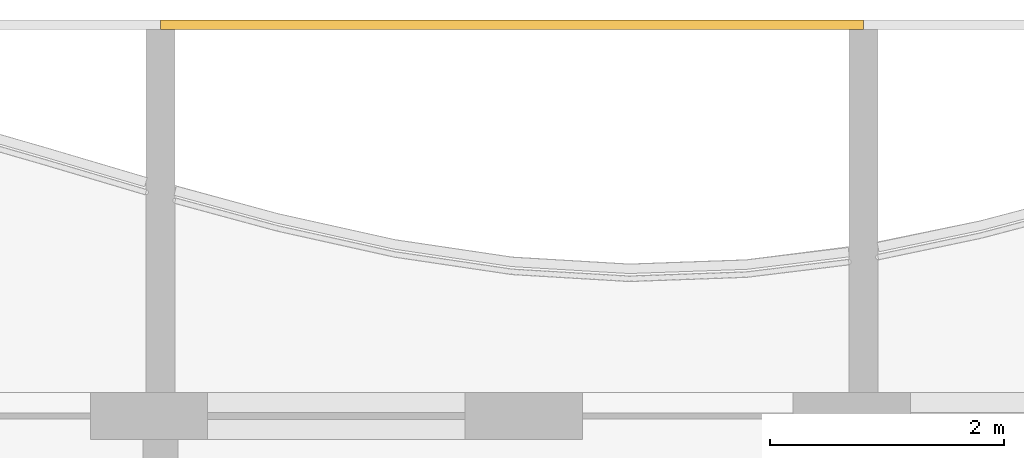
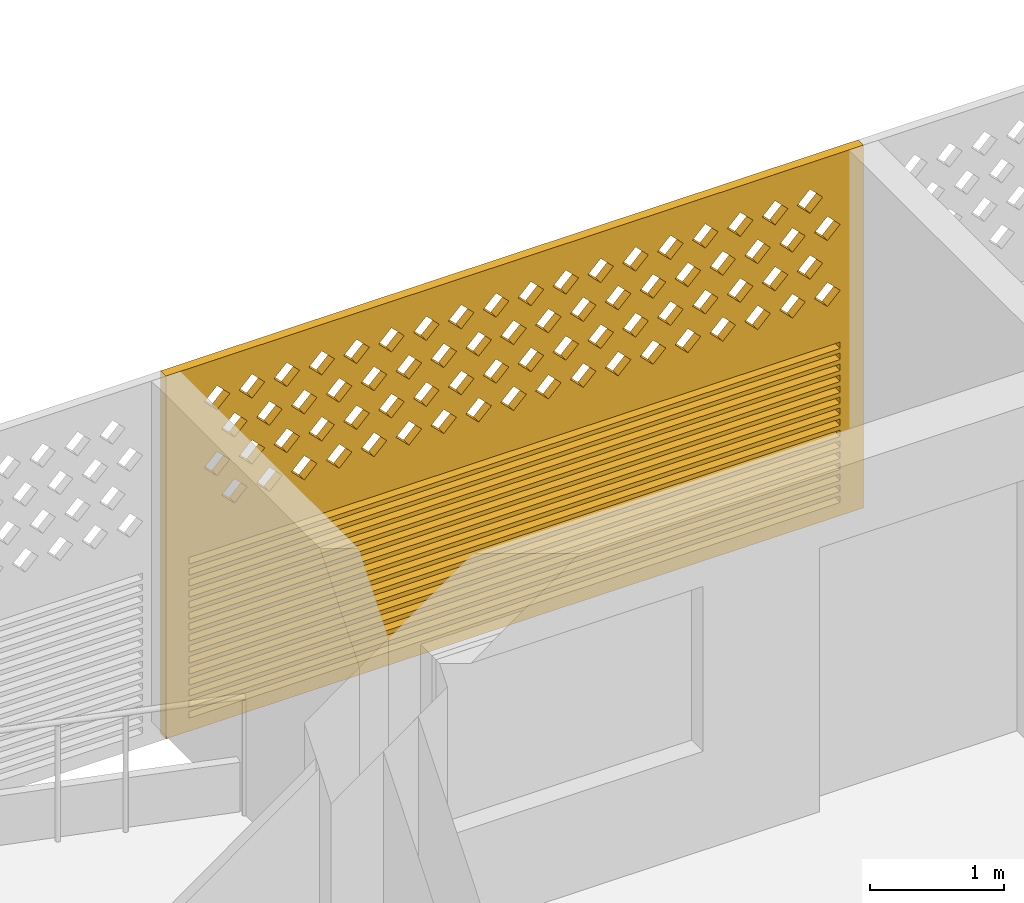
# One storey, part 22 of 32: 1 covering.
"""IFC4 building model written with IfcOpenShell, lengths in metres."""

from ifc_helpers import new_model, si_unit, direction, frame, origin, place, context, subcontext, project, spatial, polyline, outline, extrude, source, transform, mapped, material, material_profile, profile_set, type_object, element, save


model = new_model("IFC4")

# Units and contexts
model_context = context("Model", 3, precision=1e-05, world=origin(), true_north=direction((0.0, 1.0)))
body_context = subcontext(model_context, "Body", "Model", "MODEL_VIEW")
ifc_project = project(units=[si_unit("LENGTHUNIT", "METRE"), si_unit("AREAUNIT", "SQUARE_METRE"), si_unit("VOLUMEUNIT", "CUBIC_METRE"), si_unit("PLANEANGLEUNIT", "RADIAN"), si_unit("MASSUNIT", "GRAM", prefix="KILO")], contexts=[model_context])

# Site, building, storey
site_placement = place(None, origin())
site = spatial("IfcSite", under=ifc_project, at=site_placement, CompositionType="ELEMENT")
building_placement = place(site_placement, origin())
building = spatial("IfcBuilding", under=site, at=building_placement, Name="Poui Terraces", CompositionType="ELEMENT")
storey_placement = place(building_placement, frame((0.0, 0.0, 122.39990234375)))
storey = spatial("IfcBuildingStorey", under=building, at=storey_placement, Name="L33", CompositionType="ELEMENT", Elevation=122.39990234375)

# Covering
ifc_material = material(Name="Terracotta screen", Category="masonry")
ifc_material_profile = material_profile(ifc_material, outline(polyline([(-3.0, -1.64990234375), (3.0, -1.64990234375), (3.0, 1.64990234375), (-3.0, 1.64990234375), (-3.0, -1.64990234375)]), holes=[polyline([(-2.800048828125, 0.39990234375), (-2.68994140625, 0.2900390625), (-2.580078125, 0.39990234375), (-2.68994140625, 0.510009765625), (-2.800048828125, 0.39990234375)]), polyline([(-2.5, 0.39990234375), (-2.389892578125, 0.2900390625), (-2.280029296875, 0.39990234375), (-2.389892578125, 0.510009765625), (-2.5, 0.39990234375)]), polyline([(-2.199951171875, 0.39990234375), (-2.090087890625, 0.2900390625), (-1.97998046875, 0.39990234375), (-2.090087890625, 0.510009765625), (-2.199951171875, 0.39990234375)]), polyline([(-1.89990234375, 0.39990234375), (-1.7900390625, 0.2900390625), (-1.679931640625, 0.39990234375), (-1.7900390625, 0.510009765625), (-1.89990234375, 0.39990234375)]), polyline([(-1.60009765625, 0.39990234375), (-1.489990234375, 0.2900390625), (-1.3798828125, 0.39990234375), (-1.489990234375, 0.510009765625), (-1.60009765625, 0.39990234375)]), polyline([(-1.300048828125, 0.39990234375), (-1.18994140625, 0.2900390625), (-1.080078125, 0.39990234375), (-1.18994140625, 0.510009765625), (-1.300048828125, 0.39990234375)]), polyline([(-1.0, 0.39990234375), (-0.889892578125, 0.2900390625), (-0.780029296875, 0.39990234375), (-0.889892578125, 0.510009765625), (-1.0, 0.39990234375)]), polyline([(-0.699951171875, 0.39990234375), (-0.590087890625, 0.2900390625), (-0.47998046875, 0.39990234375), (-0.590087890625, 0.510009765625), (-0.699951171875, 0.39990234375)]), polyline([(-0.39990234375, 0.39990234375), (-0.2900390625, 0.2900390625), (-0.179931640625, 0.39990234375), (-0.2900390625, 0.510009765625), (-0.39990234375, 0.39990234375)]), polyline([(-0.10009765625, 0.39990234375), (0.010009765625, 0.2900390625), (0.1201171875, 0.39990234375), (0.010009765625, 0.510009765625), (-0.10009765625, 0.39990234375)]), polyline([(0.199951171875, 0.39990234375), (0.31005859375, 0.2900390625), (0.419921875, 0.39990234375), (0.31005859375, 0.510009765625), (0.199951171875, 0.39990234375)]), polyline([(0.5, 0.39990234375), (0.610107421875, 0.2900390625), (0.719970703125, 0.39990234375), (0.610107421875, 0.510009765625), (0.5, 0.39990234375)]), polyline([(0.800048828125, 0.39990234375), (0.909912109375, 0.2900390625), (1.02001953125, 0.39990234375), (0.909912109375, 0.510009765625), (0.800048828125, 0.39990234375)]), polyline([(1.10009765625, 0.39990234375), (1.2099609375, 0.2900390625), (1.320068359375, 0.39990234375), (1.2099609375, 0.510009765625), (1.10009765625, 0.39990234375)]), polyline([(1.39990234375, 0.39990234375), (1.510009765625, 0.2900390625), (1.6201171875, 0.39990234375), (1.510009765625, 0.510009765625), (1.39990234375, 0.39990234375)]), polyline([(1.699951171875, 0.39990234375), (1.81005859375, 0.2900390625), (1.919921875, 0.39990234375), (1.81005859375, 0.510009765625), (1.699951171875, 0.39990234375)]), polyline([(2.0, 0.39990234375), (2.110107421875, 0.2900390625), (2.219970703125, 0.39990234375), (2.110107421875, 0.510009765625), (2.0, 0.39990234375)]), polyline([(2.300048828125, 0.39990234375), (2.409912109375, 0.2900390625), (2.52001953125, 0.39990234375), (2.409912109375, 0.510009765625), (2.300048828125, 0.39990234375)]), polyline([(-2.64990234375, 0.699951171875), (-2.5400390625, 0.590087890625), (-2.429931640625, 0.699951171875), (-2.5400390625, 0.81005859375), (-2.64990234375, 0.699951171875)]), polyline([(-2.35009765625, 0.699951171875), (-2.239990234375, 0.590087890625), (-2.1298828125, 0.699951171875), (-2.239990234375, 0.81005859375), (-2.35009765625, 0.699951171875)]), polyline([(-2.050048828125, 0.699951171875), (-1.93994140625, 0.590087890625), (-1.830078125, 0.699951171875), (-1.93994140625, 0.81005859375), (-2.050048828125, 0.699951171875)]), polyline([(-1.75, 0.699951171875), (-1.639892578125, 0.590087890625), (-1.530029296875, 0.699951171875), (-1.639892578125, 0.81005859375), (-1.75, 0.699951171875)]), polyline([(-1.449951171875, 0.699951171875), (-1.340087890625, 0.590087890625), (-1.22998046875, 0.699951171875), (-1.340087890625, 0.81005859375), (-1.449951171875, 0.699951171875)]), polyline([(-1.14990234375, 0.699951171875), (-1.0400390625, 0.590087890625), (-0.929931640625, 0.699951171875), (-1.0400390625, 0.81005859375), (-1.14990234375, 0.699951171875)]), polyline([(-0.85009765625, 0.699951171875), (-0.739990234375, 0.590087890625), (-0.6298828125, 0.699951171875), (-0.739990234375, 0.81005859375), (-0.85009765625, 0.699951171875)]), polyline([(-0.550048828125, 0.699951171875), (-0.43994140625, 0.590087890625), (-0.330078125, 0.699951171875), (-0.43994140625, 0.81005859375), (-0.550048828125, 0.699951171875)]), polyline([(-0.25, 0.699951171875), (-0.139892578125, 0.590087890625), (-0.030029296875, 0.699951171875), (-0.139892578125, 0.81005859375), (-0.25, 0.699951171875)]), polyline([(0.050048828125, 0.699951171875), (0.159912109375, 0.590087890625), (0.27001953125, 0.699951171875), (0.159912109375, 0.81005859375), (0.050048828125, 0.699951171875)]), polyline([(0.35009765625, 0.699951171875), (0.4599609375, 0.590087890625), (0.570068359375, 0.699951171875), (0.4599609375, 0.81005859375), (0.35009765625, 0.699951171875)]), polyline([(0.64990234375, 0.699951171875), (0.760009765625, 0.590087890625), (0.8701171875, 0.699951171875), (0.760009765625, 0.81005859375), (0.64990234375, 0.699951171875)]), polyline([(0.949951171875, 0.699951171875), (1.06005859375, 0.590087890625), (1.169921875, 0.699951171875), (1.06005859375, 0.81005859375), (0.949951171875, 0.699951171875)]), polyline([(1.25, 0.699951171875), (1.360107421875, 0.590087890625), (1.469970703125, 0.699951171875), (1.360107421875, 0.81005859375), (1.25, 0.699951171875)]), polyline([(1.550048828125, 0.699951171875), (1.659912109375, 0.590087890625), (1.77001953125, 0.699951171875), (1.659912109375, 0.81005859375), (1.550048828125, 0.699951171875)]), polyline([(1.85009765625, 0.699951171875), (1.9599609375, 0.590087890625), (2.070068359375, 0.699951171875), (1.9599609375, 0.81005859375), (1.85009765625, 0.699951171875)]), polyline([(2.14990234375, 0.699951171875), (2.260009765625, 0.590087890625), (2.3701171875, 0.699951171875), (2.260009765625, 0.81005859375), (2.14990234375, 0.699951171875)]), polyline([(2.449951171875, 0.699951171875), (2.56005859375, 0.590087890625), (2.669921875, 0.699951171875), (2.56005859375, 0.81005859375), (2.449951171875, 0.699951171875)]), polyline([(-2.800048828125, 1.0), (-2.68994140625, 0.889892578125), (-2.580078125, 1.0), (-2.68994140625, 1.110107421875), (-2.800048828125, 1.0)]), polyline([(-2.5, 1.0), (-2.389892578125, 0.889892578125), (-2.280029296875, 1.0), (-2.389892578125, 1.110107421875), (-2.5, 1.0)]), polyline([(-2.199951171875, 1.0), (-2.090087890625, 0.889892578125), (-1.97998046875, 1.0), (-2.090087890625, 1.110107421875), (-2.199951171875, 1.0)]), polyline([(-1.89990234375, 1.0), (-1.7900390625, 0.889892578125), (-1.679931640625, 1.0), (-1.7900390625, 1.110107421875), (-1.89990234375, 1.0)]), polyline([(-1.60009765625, 1.0), (-1.489990234375, 0.889892578125), (-1.3798828125, 1.0), (-1.489990234375, 1.110107421875), (-1.60009765625, 1.0)]), polyline([(-1.300048828125, 1.0), (-1.18994140625, 0.889892578125), (-1.080078125, 1.0), (-1.18994140625, 1.110107421875), (-1.300048828125, 1.0)]), polyline([(-1.0, 1.0), (-0.889892578125, 0.889892578125), (-0.780029296875, 1.0), (-0.889892578125, 1.110107421875), (-1.0, 1.0)]), polyline([(-0.699951171875, 1.0), (-0.590087890625, 0.889892578125), (-0.47998046875, 1.0), (-0.590087890625, 1.110107421875), (-0.699951171875, 1.0)]), polyline([(-0.39990234375, 1.0), (-0.2900390625, 0.889892578125), (-0.179931640625, 1.0), (-0.2900390625, 1.110107421875), (-0.39990234375, 1.0)]), polyline([(-0.10009765625, 1.0), (0.010009765625, 0.889892578125), (0.1201171875, 1.0), (0.010009765625, 1.110107421875), (-0.10009765625, 1.0)]), polyline([(0.199951171875, 1.0), (0.31005859375, 0.889892578125), (0.419921875, 1.0), (0.31005859375, 1.110107421875), (0.199951171875, 1.0)]), polyline([(0.5, 1.0), (0.610107421875, 0.889892578125), (0.719970703125, 1.0), (0.610107421875, 1.110107421875), (0.5, 1.0)]), polyline([(0.800048828125, 1.0), (0.909912109375, 0.889892578125), (1.02001953125, 1.0), (0.909912109375, 1.110107421875), (0.800048828125, 1.0)]), polyline([(1.10009765625, 1.0), (1.2099609375, 0.889892578125), (1.320068359375, 1.0), (1.2099609375, 1.110107421875), (1.10009765625, 1.0)]), polyline([(1.39990234375, 1.0), (1.510009765625, 0.889892578125), (1.6201171875, 1.0), (1.510009765625, 1.110107421875), (1.39990234375, 1.0)]), polyline([(1.699951171875, 1.0), (1.81005859375, 0.889892578125), (1.919921875, 1.0), (1.81005859375, 1.110107421875), (1.699951171875, 1.0)]), polyline([(2.0, 1.0), (2.110107421875, 0.889892578125), (2.219970703125, 1.0), (2.110107421875, 1.110107421875), (2.0, 1.0)]), polyline([(2.300048828125, 1.0), (2.409912109375, 0.889892578125), (2.52001953125, 1.0), (2.409912109375, 1.110107421875), (2.300048828125, 1.0)]), polyline([(-2.64990234375, 1.300048828125), (-2.5400390625, 1.18994140625), (-2.429931640625, 1.300048828125), (-2.5400390625, 1.409912109375), (-2.64990234375, 1.300048828125)]), polyline([(-2.35009765625, 1.300048828125), (-2.239990234375, 1.18994140625), (-2.1298828125, 1.300048828125), (-2.239990234375, 1.409912109375), (-2.35009765625, 1.300048828125)]), polyline([(-2.050048828125, 1.300048828125), (-1.93994140625, 1.18994140625), (-1.830078125, 1.300048828125), (-1.93994140625, 1.409912109375), (-2.050048828125, 1.300048828125)]), polyline([(-1.75, 1.300048828125), (-1.639892578125, 1.18994140625), (-1.530029296875, 1.300048828125), (-1.639892578125, 1.409912109375), (-1.75, 1.300048828125)]), polyline([(-1.449951171875, 1.300048828125), (-1.340087890625, 1.18994140625), (-1.22998046875, 1.300048828125), (-1.340087890625, 1.409912109375), (-1.449951171875, 1.300048828125)]), polyline([(-1.14990234375, 1.300048828125), (-1.0400390625, 1.18994140625), (-0.929931640625, 1.300048828125), (-1.0400390625, 1.409912109375), (-1.14990234375, 1.300048828125)]), polyline([(-0.85009765625, 1.300048828125), (-0.739990234375, 1.18994140625), (-0.6298828125, 1.300048828125), (-0.739990234375, 1.409912109375), (-0.85009765625, 1.300048828125)]), polyline([(-0.550048828125, 1.300048828125), (-0.43994140625, 1.18994140625), (-0.330078125, 1.300048828125), (-0.43994140625, 1.409912109375), (-0.550048828125, 1.300048828125)]), polyline([(-0.25, 1.300048828125), (-0.139892578125, 1.18994140625), (-0.030029296875, 1.300048828125), (-0.139892578125, 1.409912109375), (-0.25, 1.300048828125)]), polyline([(0.050048828125, 1.300048828125), (0.159912109375, 1.18994140625), (0.27001953125, 1.300048828125), (0.159912109375, 1.409912109375), (0.050048828125, 1.300048828125)]), polyline([(0.35009765625, 1.300048828125), (0.4599609375, 1.18994140625), (0.570068359375, 1.300048828125), (0.4599609375, 1.409912109375), (0.35009765625, 1.300048828125)]), polyline([(0.64990234375, 1.300048828125), (0.760009765625, 1.18994140625), (0.8701171875, 1.300048828125), (0.760009765625, 1.409912109375), (0.64990234375, 1.300048828125)]), polyline([(0.949951171875, 1.300048828125), (1.06005859375, 1.18994140625), (1.169921875, 1.300048828125), (1.06005859375, 1.409912109375), (0.949951171875, 1.300048828125)]), polyline([(1.25, 1.300048828125), (1.360107421875, 1.18994140625), (1.469970703125, 1.300048828125), (1.360107421875, 1.409912109375), (1.25, 1.300048828125)]), polyline([(1.550048828125, 1.300048828125), (1.659912109375, 1.18994140625), (1.77001953125, 1.300048828125), (1.659912109375, 1.409912109375), (1.550048828125, 1.300048828125)]), polyline([(1.85009765625, 1.300048828125), (1.9599609375, 1.18994140625), (2.070068359375, 1.300048828125), (1.9599609375, 1.409912109375), (1.85009765625, 1.300048828125)]), polyline([(2.14990234375, 1.300048828125), (2.260009765625, 1.18994140625), (2.3701171875, 1.300048828125), (2.260009765625, 1.409912109375), (2.14990234375, 1.300048828125)]), polyline([(2.449951171875, 1.300048828125), (2.56005859375, 1.18994140625), (2.669921875, 1.300048828125), (2.56005859375, 1.409912109375), (2.449951171875, 1.300048828125)]), polyline([(-2.800048828125, -1.530029296875), (2.800048828125, -1.530029296875), (2.800048828125, -1.469970703125), (-2.800048828125, -1.469970703125), (-2.800048828125, -1.530029296875)]), polyline([(-2.800048828125, -1.429931640625), (2.800048828125, -1.429931640625), (2.800048828125, -1.3701171875), (-2.800048828125, -1.3701171875), (-2.800048828125, -1.429931640625)]), polyline([(-2.800048828125, -1.330078125), (2.800048828125, -1.330078125), (2.800048828125, -1.27001953125), (-2.800048828125, -1.27001953125), (-2.800048828125, -1.330078125)]), polyline([(-2.800048828125, -1.22998046875), (2.800048828125, -1.22998046875), (2.800048828125, -1.169921875), (-2.800048828125, -1.169921875), (-2.800048828125, -1.22998046875)]), polyline([(-2.800048828125, -1.1298828125), (2.800048828125, -1.1298828125), (2.800048828125, -1.070068359375), (-2.800048828125, -1.070068359375), (-2.800048828125, -1.1298828125)]), polyline([(-2.800048828125, -1.030029296875), (2.800048828125, -1.030029296875), (2.800048828125, -0.969970703125), (-2.800048828125, -0.969970703125), (-2.800048828125, -1.030029296875)]), polyline([(-2.800048828125, -0.929931640625), (2.800048828125, -0.929931640625), (2.800048828125, -0.8701171875), (-2.800048828125, -0.8701171875), (-2.800048828125, -0.929931640625)]), polyline([(-2.800048828125, -0.830078125), (2.800048828125, -0.830078125), (2.800048828125, -0.77001953125), (-2.800048828125, -0.77001953125), (-2.800048828125, -0.830078125)]), polyline([(-2.800048828125, -0.72998046875), (2.800048828125, -0.72998046875), (2.800048828125, -0.669921875), (-2.800048828125, -0.669921875), (-2.800048828125, -0.72998046875)]), polyline([(-2.800048828125, -0.6298828125), (2.800048828125, -0.6298828125), (2.800048828125, -0.570068359375), (-2.800048828125, -0.570068359375), (-2.800048828125, -0.6298828125)]), polyline([(-2.800048828125, -0.530029296875), (2.800048828125, -0.530029296875), (2.800048828125, -0.469970703125), (-2.800048828125, -0.469970703125), (-2.800048828125, -0.530029296875)]), polyline([(-2.800048828125, -0.429931640625), (2.800048828125, -0.429931640625), (2.800048828125, -0.3701171875), (-2.800048828125, -0.3701171875), (-2.800048828125, -0.429931640625)]), polyline([(-2.800048828125, -0.330078125), (2.800048828125, -0.330078125), (2.800048828125, -0.27001953125), (-2.800048828125, -0.27001953125), (-2.800048828125, -0.330078125)]), polyline([(-2.800048828125, -0.22998046875), (2.800048828125, -0.22998046875), (2.800048828125, -0.169921875), (-2.800048828125, -0.169921875), (-2.800048828125, -0.22998046875)]), polyline([(-2.800048828125, -0.1298828125), (2.800048828125, -0.1298828125), (2.800048828125, -0.070068359375), (-2.800048828125, -0.070068359375), (-2.800048828125, -0.1298828125)])]), Name="TERRACOTTA SCREEN AND JALOUSIE LOUVRE 6000X3300")
ifc_profile_set = profile_set([ifc_material_profile], Name="Terracotta screen")
covering_type = type_object("IfcCoveringType", Name="TERRACOTTA SCREEN AND JALOUSIE LOUVRE 6000X3300", PredefinedType="CLADDING", material=ifc_profile_set)
shared_shape = source(origin(), body_context, "Body", "SweptSolid", [
    extrude(outline(polyline([(-3.0, -1.64990234375), (3.0, -1.64990234375), (3.0, 1.64990234375), (-3.0, 1.64990234375), (-3.0, -1.64990234375)]), holes=[polyline([(-2.800048828125, 0.39990234375), (-2.68994140625, 0.2900390625), (-2.580078125, 0.39990234375), (-2.68994140625, 0.510009765625), (-2.800048828125, 0.39990234375)]), polyline([(-2.5, 0.39990234375), (-2.389892578125, 0.2900390625), (-2.280029296875, 0.39990234375), (-2.389892578125, 0.510009765625), (-2.5, 0.39990234375)]), polyline([(-2.199951171875, 0.39990234375), (-2.090087890625, 0.2900390625), (-1.97998046875, 0.39990234375), (-2.090087890625, 0.510009765625), (-2.199951171875, 0.39990234375)]), polyline([(-1.89990234375, 0.39990234375), (-1.7900390625, 0.2900390625), (-1.679931640625, 0.39990234375), (-1.7900390625, 0.510009765625), (-1.89990234375, 0.39990234375)]), polyline([(-1.60009765625, 0.39990234375), (-1.489990234375, 0.2900390625), (-1.3798828125, 0.39990234375), (-1.489990234375, 0.510009765625), (-1.60009765625, 0.39990234375)]), polyline([(-1.300048828125, 0.39990234375), (-1.18994140625, 0.2900390625), (-1.080078125, 0.39990234375), (-1.18994140625, 0.510009765625), (-1.300048828125, 0.39990234375)]), polyline([(-1.0, 0.39990234375), (-0.889892578125, 0.2900390625), (-0.780029296875, 0.39990234375), (-0.889892578125, 0.510009765625), (-1.0, 0.39990234375)]), polyline([(-0.699951171875, 0.39990234375), (-0.590087890625, 0.2900390625), (-0.47998046875, 0.39990234375), (-0.590087890625, 0.510009765625), (-0.699951171875, 0.39990234375)]), polyline([(-0.39990234375, 0.39990234375), (-0.2900390625, 0.2900390625), (-0.179931640625, 0.39990234375), (-0.2900390625, 0.510009765625), (-0.39990234375, 0.39990234375)]), polyline([(-0.10009765625, 0.39990234375), (0.010009765625, 0.2900390625), (0.1201171875, 0.39990234375), (0.010009765625, 0.510009765625), (-0.10009765625, 0.39990234375)]), polyline([(0.199951171875, 0.39990234375), (0.31005859375, 0.2900390625), (0.419921875, 0.39990234375), (0.31005859375, 0.510009765625), (0.199951171875, 0.39990234375)]), polyline([(0.5, 0.39990234375), (0.610107421875, 0.2900390625), (0.719970703125, 0.39990234375), (0.610107421875, 0.510009765625), (0.5, 0.39990234375)]), polyline([(0.800048828125, 0.39990234375), (0.909912109375, 0.2900390625), (1.02001953125, 0.39990234375), (0.909912109375, 0.510009765625), (0.800048828125, 0.39990234375)]), polyline([(1.10009765625, 0.39990234375), (1.2099609375, 0.2900390625), (1.320068359375, 0.39990234375), (1.2099609375, 0.510009765625), (1.10009765625, 0.39990234375)]), polyline([(1.39990234375, 0.39990234375), (1.510009765625, 0.2900390625), (1.6201171875, 0.39990234375), (1.510009765625, 0.510009765625), (1.39990234375, 0.39990234375)]), polyline([(1.699951171875, 0.39990234375), (1.81005859375, 0.2900390625), (1.919921875, 0.39990234375), (1.81005859375, 0.510009765625), (1.699951171875, 0.39990234375)]), polyline([(2.0, 0.39990234375), (2.110107421875, 0.2900390625), (2.219970703125, 0.39990234375), (2.110107421875, 0.510009765625), (2.0, 0.39990234375)]), polyline([(2.300048828125, 0.39990234375), (2.409912109375, 0.2900390625), (2.52001953125, 0.39990234375), (2.409912109375, 0.510009765625), (2.300048828125, 0.39990234375)]), polyline([(-2.64990234375, 0.699951171875), (-2.5400390625, 0.590087890625), (-2.429931640625, 0.699951171875), (-2.5400390625, 0.81005859375), (-2.64990234375, 0.699951171875)]), polyline([(-2.35009765625, 0.699951171875), (-2.239990234375, 0.590087890625), (-2.1298828125, 0.699951171875), (-2.239990234375, 0.81005859375), (-2.35009765625, 0.699951171875)]), polyline([(-2.050048828125, 0.699951171875), (-1.93994140625, 0.590087890625), (-1.830078125, 0.699951171875), (-1.93994140625, 0.81005859375), (-2.050048828125, 0.699951171875)]), polyline([(-1.75, 0.699951171875), (-1.639892578125, 0.590087890625), (-1.530029296875, 0.699951171875), (-1.639892578125, 0.81005859375), (-1.75, 0.699951171875)]), polyline([(-1.449951171875, 0.699951171875), (-1.340087890625, 0.590087890625), (-1.22998046875, 0.699951171875), (-1.340087890625, 0.81005859375), (-1.449951171875, 0.699951171875)]), polyline([(-1.14990234375, 0.699951171875), (-1.0400390625, 0.590087890625), (-0.929931640625, 0.699951171875), (-1.0400390625, 0.81005859375), (-1.14990234375, 0.699951171875)]), polyline([(-0.85009765625, 0.699951171875), (-0.739990234375, 0.590087890625), (-0.6298828125, 0.699951171875), (-0.739990234375, 0.81005859375), (-0.85009765625, 0.699951171875)]), polyline([(-0.550048828125, 0.699951171875), (-0.43994140625, 0.590087890625), (-0.330078125, 0.699951171875), (-0.43994140625, 0.81005859375), (-0.550048828125, 0.699951171875)]), polyline([(-0.25, 0.699951171875), (-0.139892578125, 0.590087890625), (-0.030029296875, 0.699951171875), (-0.139892578125, 0.81005859375), (-0.25, 0.699951171875)]), polyline([(0.050048828125, 0.699951171875), (0.159912109375, 0.590087890625), (0.27001953125, 0.699951171875), (0.159912109375, 0.81005859375), (0.050048828125, 0.699951171875)]), polyline([(0.35009765625, 0.699951171875), (0.4599609375, 0.590087890625), (0.570068359375, 0.699951171875), (0.4599609375, 0.81005859375), (0.35009765625, 0.699951171875)]), polyline([(0.64990234375, 0.699951171875), (0.760009765625, 0.590087890625), (0.8701171875, 0.699951171875), (0.760009765625, 0.81005859375), (0.64990234375, 0.699951171875)]), polyline([(0.949951171875, 0.699951171875), (1.06005859375, 0.590087890625), (1.169921875, 0.699951171875), (1.06005859375, 0.81005859375), (0.949951171875, 0.699951171875)]), polyline([(1.25, 0.699951171875), (1.360107421875, 0.590087890625), (1.469970703125, 0.699951171875), (1.360107421875, 0.81005859375), (1.25, 0.699951171875)]), polyline([(1.550048828125, 0.699951171875), (1.659912109375, 0.590087890625), (1.77001953125, 0.699951171875), (1.659912109375, 0.81005859375), (1.550048828125, 0.699951171875)]), polyline([(1.85009765625, 0.699951171875), (1.9599609375, 0.590087890625), (2.070068359375, 0.699951171875), (1.9599609375, 0.81005859375), (1.85009765625, 0.699951171875)]), polyline([(2.14990234375, 0.699951171875), (2.260009765625, 0.590087890625), (2.3701171875, 0.699951171875), (2.260009765625, 0.81005859375), (2.14990234375, 0.699951171875)]), polyline([(2.449951171875, 0.699951171875), (2.56005859375, 0.590087890625), (2.669921875, 0.699951171875), (2.56005859375, 0.81005859375), (2.449951171875, 0.699951171875)]), polyline([(-2.800048828125, 1.0), (-2.68994140625, 0.889892578125), (-2.580078125, 1.0), (-2.68994140625, 1.110107421875), (-2.800048828125, 1.0)]), polyline([(-2.5, 1.0), (-2.389892578125, 0.889892578125), (-2.280029296875, 1.0), (-2.389892578125, 1.110107421875), (-2.5, 1.0)]), polyline([(-2.199951171875, 1.0), (-2.090087890625, 0.889892578125), (-1.97998046875, 1.0), (-2.090087890625, 1.110107421875), (-2.199951171875, 1.0)]), polyline([(-1.89990234375, 1.0), (-1.7900390625, 0.889892578125), (-1.679931640625, 1.0), (-1.7900390625, 1.110107421875), (-1.89990234375, 1.0)]), polyline([(-1.60009765625, 1.0), (-1.489990234375, 0.889892578125), (-1.3798828125, 1.0), (-1.489990234375, 1.110107421875), (-1.60009765625, 1.0)]), polyline([(-1.300048828125, 1.0), (-1.18994140625, 0.889892578125), (-1.080078125, 1.0), (-1.18994140625, 1.110107421875), (-1.300048828125, 1.0)]), polyline([(-1.0, 1.0), (-0.889892578125, 0.889892578125), (-0.780029296875, 1.0), (-0.889892578125, 1.110107421875), (-1.0, 1.0)]), polyline([(-0.699951171875, 1.0), (-0.590087890625, 0.889892578125), (-0.47998046875, 1.0), (-0.590087890625, 1.110107421875), (-0.699951171875, 1.0)]), polyline([(-0.39990234375, 1.0), (-0.2900390625, 0.889892578125), (-0.179931640625, 1.0), (-0.2900390625, 1.110107421875), (-0.39990234375, 1.0)]), polyline([(-0.10009765625, 1.0), (0.010009765625, 0.889892578125), (0.1201171875, 1.0), (0.010009765625, 1.110107421875), (-0.10009765625, 1.0)]), polyline([(0.199951171875, 1.0), (0.31005859375, 0.889892578125), (0.419921875, 1.0), (0.31005859375, 1.110107421875), (0.199951171875, 1.0)]), polyline([(0.5, 1.0), (0.610107421875, 0.889892578125), (0.719970703125, 1.0), (0.610107421875, 1.110107421875), (0.5, 1.0)]), polyline([(0.800048828125, 1.0), (0.909912109375, 0.889892578125), (1.02001953125, 1.0), (0.909912109375, 1.110107421875), (0.800048828125, 1.0)]), polyline([(1.10009765625, 1.0), (1.2099609375, 0.889892578125), (1.320068359375, 1.0), (1.2099609375, 1.110107421875), (1.10009765625, 1.0)]), polyline([(1.39990234375, 1.0), (1.510009765625, 0.889892578125), (1.6201171875, 1.0), (1.510009765625, 1.110107421875), (1.39990234375, 1.0)]), polyline([(1.699951171875, 1.0), (1.81005859375, 0.889892578125), (1.919921875, 1.0), (1.81005859375, 1.110107421875), (1.699951171875, 1.0)]), polyline([(2.0, 1.0), (2.110107421875, 0.889892578125), (2.219970703125, 1.0), (2.110107421875, 1.110107421875), (2.0, 1.0)]), polyline([(2.300048828125, 1.0), (2.409912109375, 0.889892578125), (2.52001953125, 1.0), (2.409912109375, 1.110107421875), (2.300048828125, 1.0)]), polyline([(-2.64990234375, 1.300048828125), (-2.5400390625, 1.18994140625), (-2.429931640625, 1.300048828125), (-2.5400390625, 1.409912109375), (-2.64990234375, 1.300048828125)]), polyline([(-2.35009765625, 1.300048828125), (-2.239990234375, 1.18994140625), (-2.1298828125, 1.300048828125), (-2.239990234375, 1.409912109375), (-2.35009765625, 1.300048828125)]), polyline([(-2.050048828125, 1.300048828125), (-1.93994140625, 1.18994140625), (-1.830078125, 1.300048828125), (-1.93994140625, 1.409912109375), (-2.050048828125, 1.300048828125)]), polyline([(-1.75, 1.300048828125), (-1.639892578125, 1.18994140625), (-1.530029296875, 1.300048828125), (-1.639892578125, 1.409912109375), (-1.75, 1.300048828125)]), polyline([(-1.449951171875, 1.300048828125), (-1.340087890625, 1.18994140625), (-1.22998046875, 1.300048828125), (-1.340087890625, 1.409912109375), (-1.449951171875, 1.300048828125)]), polyline([(-1.14990234375, 1.300048828125), (-1.0400390625, 1.18994140625), (-0.929931640625, 1.300048828125), (-1.0400390625, 1.409912109375), (-1.14990234375, 1.300048828125)]), polyline([(-0.85009765625, 1.300048828125), (-0.739990234375, 1.18994140625), (-0.6298828125, 1.300048828125), (-0.739990234375, 1.409912109375), (-0.85009765625, 1.300048828125)]), polyline([(-0.550048828125, 1.300048828125), (-0.43994140625, 1.18994140625), (-0.330078125, 1.300048828125), (-0.43994140625, 1.409912109375), (-0.550048828125, 1.300048828125)]), polyline([(-0.25, 1.300048828125), (-0.139892578125, 1.18994140625), (-0.030029296875, 1.300048828125), (-0.139892578125, 1.409912109375), (-0.25, 1.300048828125)]), polyline([(0.050048828125, 1.300048828125), (0.159912109375, 1.18994140625), (0.27001953125, 1.300048828125), (0.159912109375, 1.409912109375), (0.050048828125, 1.300048828125)]), polyline([(0.35009765625, 1.300048828125), (0.4599609375, 1.18994140625), (0.570068359375, 1.300048828125), (0.4599609375, 1.409912109375), (0.35009765625, 1.300048828125)]), polyline([(0.64990234375, 1.300048828125), (0.760009765625, 1.18994140625), (0.8701171875, 1.300048828125), (0.760009765625, 1.409912109375), (0.64990234375, 1.300048828125)]), polyline([(0.949951171875, 1.300048828125), (1.06005859375, 1.18994140625), (1.169921875, 1.300048828125), (1.06005859375, 1.409912109375), (0.949951171875, 1.300048828125)]), polyline([(1.25, 1.300048828125), (1.360107421875, 1.18994140625), (1.469970703125, 1.300048828125), (1.360107421875, 1.409912109375), (1.25, 1.300048828125)]), polyline([(1.550048828125, 1.300048828125), (1.659912109375, 1.18994140625), (1.77001953125, 1.300048828125), (1.659912109375, 1.409912109375), (1.550048828125, 1.300048828125)]), polyline([(1.85009765625, 1.300048828125), (1.9599609375, 1.18994140625), (2.070068359375, 1.300048828125), (1.9599609375, 1.409912109375), (1.85009765625, 1.300048828125)]), polyline([(2.14990234375, 1.300048828125), (2.260009765625, 1.18994140625), (2.3701171875, 1.300048828125), (2.260009765625, 1.409912109375), (2.14990234375, 1.300048828125)]), polyline([(2.449951171875, 1.300048828125), (2.56005859375, 1.18994140625), (2.669921875, 1.300048828125), (2.56005859375, 1.409912109375), (2.449951171875, 1.300048828125)]), polyline([(-2.800048828125, -1.530029296875), (2.800048828125, -1.530029296875), (2.800048828125, -1.469970703125), (-2.800048828125, -1.469970703125), (-2.800048828125, -1.530029296875)]), polyline([(-2.800048828125, -1.429931640625), (2.800048828125, -1.429931640625), (2.800048828125, -1.3701171875), (-2.800048828125, -1.3701171875), (-2.800048828125, -1.429931640625)]), polyline([(-2.800048828125, -1.330078125), (2.800048828125, -1.330078125), (2.800048828125, -1.27001953125), (-2.800048828125, -1.27001953125), (-2.800048828125, -1.330078125)]), polyline([(-2.800048828125, -1.22998046875), (2.800048828125, -1.22998046875), (2.800048828125, -1.169921875), (-2.800048828125, -1.169921875), (-2.800048828125, -1.22998046875)]), polyline([(-2.800048828125, -1.1298828125), (2.800048828125, -1.1298828125), (2.800048828125, -1.070068359375), (-2.800048828125, -1.070068359375), (-2.800048828125, -1.1298828125)]), polyline([(-2.800048828125, -1.030029296875), (2.800048828125, -1.030029296875), (2.800048828125, -0.969970703125), (-2.800048828125, -0.969970703125), (-2.800048828125, -1.030029296875)]), polyline([(-2.800048828125, -0.929931640625), (2.800048828125, -0.929931640625), (2.800048828125, -0.8701171875), (-2.800048828125, -0.8701171875), (-2.800048828125, -0.929931640625)]), polyline([(-2.800048828125, -0.830078125), (2.800048828125, -0.830078125), (2.800048828125, -0.77001953125), (-2.800048828125, -0.77001953125), (-2.800048828125, -0.830078125)]), polyline([(-2.800048828125, -0.72998046875), (2.800048828125, -0.72998046875), (2.800048828125, -0.669921875), (-2.800048828125, -0.669921875), (-2.800048828125, -0.72998046875)]), polyline([(-2.800048828125, -0.6298828125), (2.800048828125, -0.6298828125), (2.800048828125, -0.570068359375), (-2.800048828125, -0.570068359375), (-2.800048828125, -0.6298828125)]), polyline([(-2.800048828125, -0.530029296875), (2.800048828125, -0.530029296875), (2.800048828125, -0.469970703125), (-2.800048828125, -0.469970703125), (-2.800048828125, -0.530029296875)]), polyline([(-2.800048828125, -0.429931640625), (2.800048828125, -0.429931640625), (2.800048828125, -0.3701171875), (-2.800048828125, -0.3701171875), (-2.800048828125, -0.429931640625)]), polyline([(-2.800048828125, -0.330078125), (2.800048828125, -0.330078125), (2.800048828125, -0.27001953125), (-2.800048828125, -0.27001953125), (-2.800048828125, -0.330078125)]), polyline([(-2.800048828125, -0.22998046875), (2.800048828125, -0.22998046875), (2.800048828125, -0.169921875), (-2.800048828125, -0.169921875), (-2.800048828125, -0.22998046875)]), polyline([(-2.800048828125, -0.1298828125), (2.800048828125, -0.1298828125), (2.800048828125, -0.070068359375), (-2.800048828125, -0.070068359375), (-2.800048828125, -0.1298828125)])]), origin(), (0.0, 0.0, 1.0), 0.080078125),
])
covering_placement = place(storey_placement, frame((33.0, 45.699951171875, 1.4501953125), z_axis=(0.0, 1.0, 0.0), x_axis=(-1.0, 0.0, 0.0)))
element("IfcCovering", 1, at=covering_placement, inside=storey, type_object=covering_type, Name="SOLAR SCREEN AND JALOUSIE LOUVRE", PredefinedType="CLADDING", context=body_context, shape_type="MappedRepresentation", body=[
    mapped(shared_shape, transform((0.0, 0.0, 0.0))),
])

save(model, "model.ifc")
